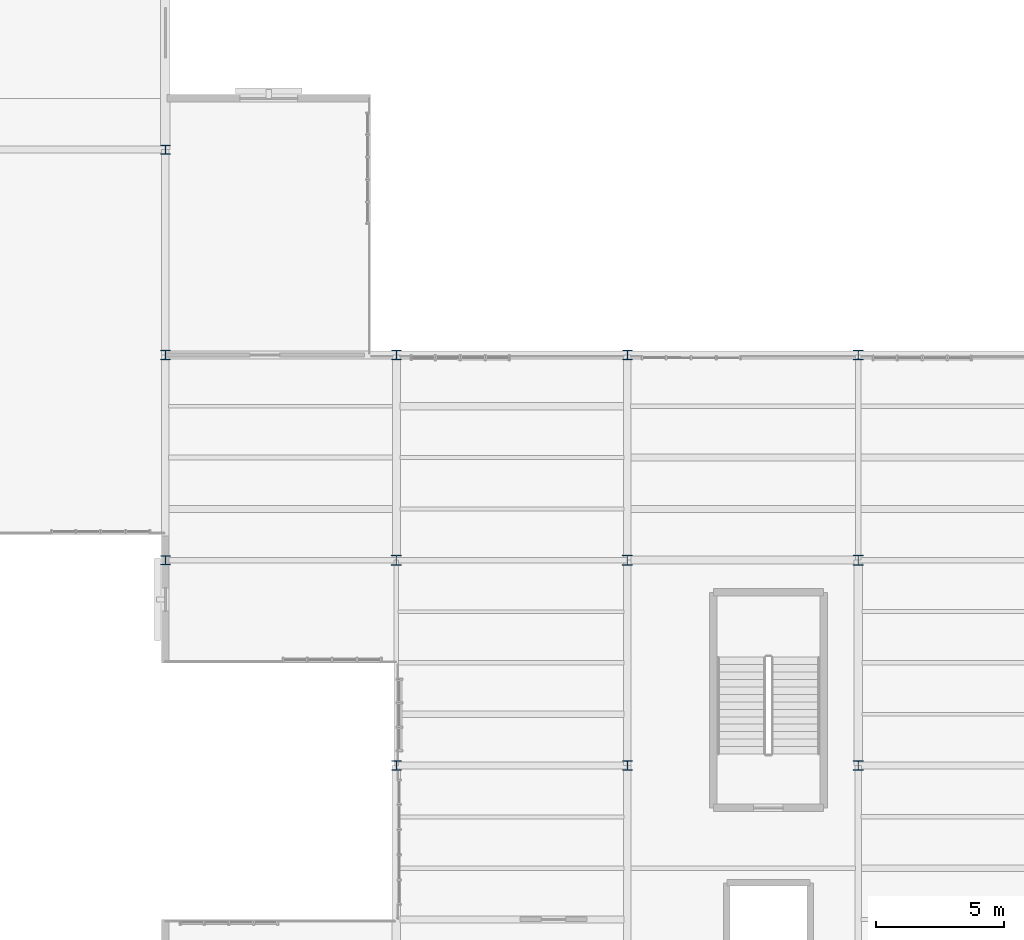
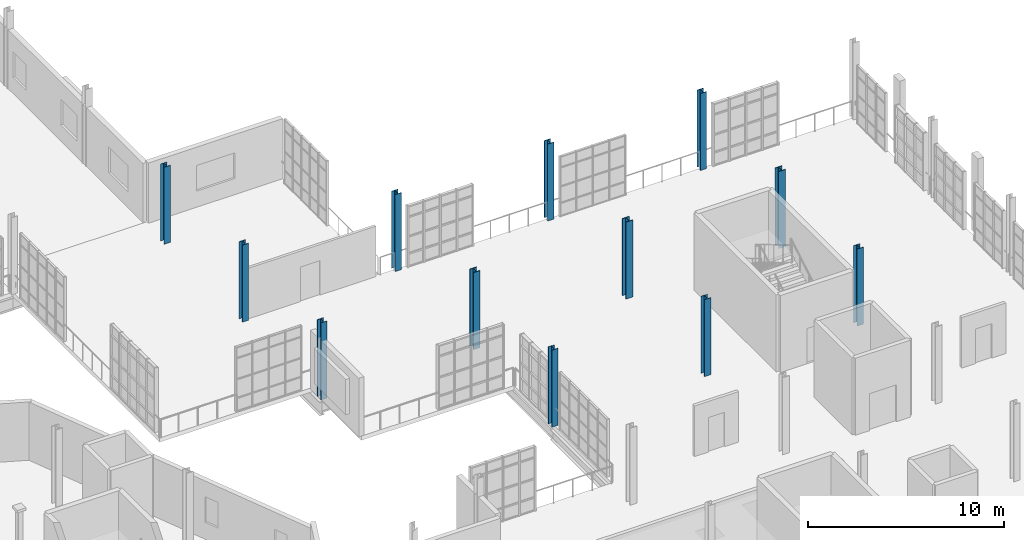
# One storey, part 8 of 122: 12 columns.
"""IFC4 building model written with IfcOpenShell, lengths in metres."""

import ifcopenshell
import ifcopenshell.guid

model = None  # the IFC model being written
_history = None  # IfcOwnerHistory: only IFC2X3 demands one
_inside = {}  # id of a spatial element -> (the spatial element, [elements in it])
_under = {}  # id of a project, library or spatial element -> (it, [spatial elements below it])
_declared = {}  # id of a project -> (the project, [libraries it declares])
_typed = {}  # id of a type object -> (the type object, [elements of that type])
_made_of = {}  # id of a material, layer set ... -> (it, [elements and type objects made of it])


def new_model(schema):
    """Start an empty IFC model of exactly this schema.

    Asked for "IFC4X3", IfcOpenShell would pick the latest addendum, in which some entities
    have other attributes; the version numbers below select the first issue.
    IFC2X3 requires an IfcOwnerHistory on every rooted entity: one is made here for all.
    """
    global model, _history
    if schema == "IFC4X3":
        model = ifcopenshell.file(schema_version=(4, 3, 0, 0))
    else:
        model = ifcopenshell.file(schema=schema)
    _inside.clear()
    _under.clear()
    _declared.clear()
    _typed.clear()
    _made_of.clear()
    _history = None
    if model.schema == "IFC2X3":
        org = make("IfcOrganization", Name="unknown")
        user = make(
            "IfcPersonAndOrganization",
            ThePerson=make("IfcPerson", FamilyName="unknown"),
            TheOrganization=org,
        )
        app = make(
            "IfcApplication",
            ApplicationDeveloper=org,
            Version="unknown",
            ApplicationFullName="unknown",
            ApplicationIdentifier="unknown",
        )
        _history = make(
            "IfcOwnerHistory",
            OwningUser=user,
            OwningApplication=app,
            ChangeAction="ADDED",
            CreationDate=0,
        )
    return model


def make(cls, **values):
    """One entity of the class cls with the attributes given. An attribute that is None is left unset."""
    return model.create_entity(
        cls, **{name: value for name, value in values.items() if value is not None}
    )


def rooted(cls, **values):
    """An entity with a GlobalId (a new one), such as an element, a storey or a relation."""
    return make(cls, GlobalId=ifcopenshell.guid.new(), OwnerHistory=_history, **values)


def si_unit(unit_type, name, prefix=None):
    """IfcSIUnit, for example si_unit("LENGTHUNIT", "METRE", prefix="MILLI")."""
    return make("IfcSIUnit", UnitType=unit_type, Prefix=prefix, Name=name)


def assignment(units):
    """IfcUnitAssignment: the units of a project."""
    return None if units is None else make("IfcUnitAssignment", Units=units)


def point(xyz):
    """IfcCartesianPoint."""
    return None if xyz is None else make("IfcCartesianPoint", Coordinates=xyz)


def direction(xyz):
    """IfcDirection."""
    return None if xyz is None else make("IfcDirection", DirectionRatios=xyz)


def frame(location, z_axis=None, x_axis=None):
    """IfcAxis2Placement3D, a coordinate frame: its origin and axes. An axis left out is left unset."""
    return make(
        "IfcAxis2Placement3D",
        Location=point(location),
        Axis=direction(z_axis),
        RefDirection=direction(x_axis),
    )


def frame_2d(location, x_axis=None):
    """IfcAxis2Placement2D, a coordinate frame in the plane: its origin and x axis."""
    return make(
        "IfcAxis2Placement2D", Location=point(location), RefDirection=direction(x_axis)
    )


def origin():
    """The frame at (0, 0, 0) with its axes left unset."""
    return frame((0.0, 0.0, 0.0))


def origin_2d():
    """The frame at (0, 0) in the plane with its x axis left unset."""
    return frame_2d((0.0, 0.0))


def place(relative_to, where):
    """IfcLocalPlacement: puts the frame where relative to a parent placement (None: the world)."""
    return make(
        "IfcLocalPlacement", PlacementRelTo=relative_to, RelativePlacement=where
    )


def context(
    kind, dimensions, precision=None, world=None, true_north=None, identifier=None
):
    """IfcGeometricRepresentationContext, for example the 3D "Model" context."""
    return make(
        "IfcGeometricRepresentationContext",
        ContextIdentifier=identifier,
        ContextType=kind,
        CoordinateSpaceDimension=dimensions,
        Precision=precision,
        WorldCoordinateSystem=world,
        TrueNorth=true_north,
    )


def subcontext(parent, identifier, kind, view, scale=None):
    """IfcGeometricRepresentationSubContext, for example "Body" below "Model"."""
    return make(
        "IfcGeometricRepresentationSubContext",
        ContextIdentifier=identifier,
        ContextType=kind,
        ParentContext=parent,
        TargetScale=scale,
        TargetView=view,
    )


def project(units=None, contexts=None):
    """IfcProject with its units and contexts."""
    return rooted(
        "IfcProject",
        Name="project",
        RepresentationContexts=contexts,
        UnitsInContext=assignment(units),
    )


def spatial(cls, under=None, at=None, **own):
    """A site, building, storey or space (cls), placed at a placement, below another one or the project."""
    s = rooted(cls, ObjectPlacement=at, **own)
    if under is not None:
        _under.setdefault(under.id(), (under, []))[1].append(s)
    return s


def profile(cls, at=None, kind="AREA", **sizes):
    """A parametric profile (cls). Its sizes go by their IFC names, for example OverallWidth=200.0."""
    return make(cls, ProfileType=kind, Position=at, **sizes)


def i_section(**sizes):
    """IfcIShapeProfileDef."""
    return profile("IfcIShapeProfileDef", **sizes)


def extrude(swept, where, along, depth):
    """IfcExtrudedAreaSolid: the profile swept, set in the frame where, extruded along a direction by depth."""
    return make(
        "IfcExtrudedAreaSolid",
        SweptArea=swept,
        Position=where,
        ExtrudedDirection=direction(along),
        Depth=depth,
    )


def shape(context_of_items, identifier, shape_type, items):
    """IfcShapeRepresentation: the items that make up one representation, for example the "Body"."""
    return make(
        "IfcShapeRepresentation",
        ContextOfItems=context_of_items,
        RepresentationIdentifier=identifier,
        RepresentationType=shape_type,
        Items=items,
    )


def material(Name=None, Category=None):
    """IfcMaterial."""
    return make("IfcMaterial", Name=Name, Category=Category)


def material_profile(
    of_material, cross_section, Name=None, Category=None, Priority=None
):
    """IfcMaterialProfile: a cross section and its material."""
    return make(
        "IfcMaterialProfile",
        Name=Name,
        Material=of_material,
        Profile=cross_section,
        Priority=Priority,
        Category=Category,
    )


def profile_set(profiles, Name=None, composite=None):
    """IfcMaterialProfileSet."""
    return make(
        "IfcMaterialProfileSet",
        Name=Name,
        MaterialProfiles=profiles,
        CompositeProfile=composite,
    )


def made_of(thing, what):
    """Note that an element or type object is made of a material, layer set ...; save() writes the relation."""
    if what is not None:
        _made_of.setdefault(what.id(), (what, []))[1].append(thing)
    return thing


def type_object(cls, material=None, **own):
    """A type object (cls), such as IfcWallType, which elements share."""
    return made_of(rooted(cls, **own), material)


def element(
    cls,
    number,
    at=None,
    inside=None,
    cuts=None,
    type_object=None,
    material=None,
    context=None,
    identifier="Body",
    shape_type=None,
    held_by="IfcProductDefinitionShape",
    body=None,
    shapes=None,
    **own,
):
    """One element of the class cls, such as IfcWall. Its Tag is "e" and its number.

    at: its placement. inside: the storey or other place that contains it. cuts: it is an
    opening in that element (IfcRelVoidsElement). A single representation is given by context,
    identifier, shape_type and body (its items); several are given by shapes. held_by: the class
    of the entity that holds the representations. save() writes the other relations.
    """
    e = rooted(cls, Tag="e%d" % number, ObjectPlacement=at, **own)
    if body is not None:
        shapes = [shape(context, identifier, shape_type, body)]
    if shapes is not None:
        e.Representation = make(held_by, Representations=shapes)
    if inside is not None:
        _inside.setdefault(inside.id(), (inside, []))[1].append(e)
    if cuts is not None:
        rooted(
            "IfcRelVoidsElement", RelatingBuildingElement=cuts, RelatedOpeningElement=e
        )
    if type_object is not None:
        _typed.setdefault(type_object.id(), (type_object, []))[1].append(e)
    return made_of(e, material)


def aggregate(whole, parts):
    """IfcRelAggregates: a whole, such as a stair, and the parts it consists of."""
    return rooted("IfcRelAggregates", RelatingObject=whole, RelatedObjects=parts)


def save(model, path):
    """Write the relations noted so far, then the file.

    IfcRelAggregates (storeys below a building ...), IfcRelContainedInSpatialStructure (elements
    in a storey), IfcRelDefinesByType, IfcRelAssociatesMaterial and IfcRelDeclares: one each for
    every whole, place, type object, material and project.
    """
    for whole, parts in _under.values():
        aggregate(whole, parts)
    for where, things in _inside.values():
        rooted(
            "IfcRelContainedInSpatialStructure",
            RelatedElements=things,
            RelatingStructure=where,
        )
    for kind, things in _typed.values():
        rooted("IfcRelDefinesByType", RelatedObjects=things, RelatingType=kind)
    for what, things in _made_of.values():
        rooted("IfcRelAssociatesMaterial", RelatedObjects=things, RelatingMaterial=what)
    for by, libraries in _declared.values():
        rooted("IfcRelDeclares", RelatingContext=by, RelatedDefinitions=libraries)
    model.write(path)


model = new_model("IFC4")

# Units and contexts
model_context = context("Model", 3, precision=1e-05, world=origin(), true_north=direction((0.0, 1.0)))
body_context = subcontext(model_context, "Body", "Model", "MODEL_VIEW")
ifc_project = project(units=[si_unit("LENGTHUNIT", "METRE"), si_unit("AREAUNIT", "SQUARE_METRE"), si_unit("VOLUMEUNIT", "CUBIC_METRE"), si_unit("PLANEANGLEUNIT", "RADIAN"), si_unit("MASSUNIT", "GRAM", prefix="KILO"), si_unit("THERMODYNAMICTEMPERATUREUNIT", "KELVIN"), si_unit("POWERUNIT", "WATT")], contexts=[model_context])

# Site, building, storey
site_placement = place(None, origin())
site = spatial("IfcSite", under=ifc_project, at=site_placement, CompositionType="ELEMENT")
building_placement = place(site_placement, origin())
building = spatial("IfcBuilding", under=site, at=building_placement, Name="Zelmaris Science Centre", CompositionType="ELEMENT")
storey_placement = place(building_placement, frame((0.0, 0.0, 10.800048828125)))
storey = spatial("IfcBuildingStorey", under=building, at=storey_placement, Name="L02", CompositionType="ELEMENT", Elevation=10.800048828125)

# Columns
ifc_material = material(Name="Steel ASTM A992 Grade 50", Category="steel")
ifc_material_profile_1 = material_profile(ifc_material, i_section(OverallWidth=0.40087890625, OverallDepth=0.39892578125, WebThickness=0.02490234375, FlangeThickness=0.03955078125, FilletRadius=0.014892578125, at=origin_2d()), Name="W14X211")
ifc_profile_set_1 = profile_set([ifc_material_profile_1], Name="Steel ASTM A992 Grade 50")
column_type_1 = type_object("IfcColumnType", Name="Column C-03 W14X211", PredefinedType="COLUMN", material=ifc_profile_set_1)
for number, where, z_axis, x_axis, name in (
    (1, (117.0, 48.0, 0.0), (0.0, 0.0, 1.0), (1.0, 0.0, 0.0), "Column V4-C-117-48 L02"),
    (2, (126.0, 48.0, 0.0), (0.0, 0.0, 1.0), (1.0, 0.0, 0.0), "Column V4-C-126-48 L02"),
    (3, (135.0, 48.0, 0.0), (0.0, 0.0, 1.0), (1.0, 0.0, 0.0), "Column V4-C-135-48 L02"),
):
    element("IfcColumn", number, at=place(storey_placement, frame(where, z_axis=z_axis, x_axis=x_axis)), inside=storey, type_object=column_type_1, Name=name, PredefinedType="COLUMN", context=body_context, shape_type="SweptSolid", body=[
        extrude(i_section(OverallWidth=0.40087890625, OverallDepth=0.39892578125, WebThickness=0.02490234375, FlangeThickness=0.03955078125, FilletRadius=0.014892578125, at=origin_2d()), origin(), (0.0, 0.0, 1.0), 4.800048828125),
    ])
ifc_material_profile_2 = material_profile(ifc_material, i_section(OverallWidth=0.373046875, OverallDepth=0.367919921875, WebThickness=0.014892578125, FlangeThickness=0.02392578125, FilletRadius=0.014892578125, at=origin_2d()), Name="W14X120")
ifc_profile_set_2 = profile_set([ifc_material_profile_2], Name="Steel ASTM A992 Grade 50")
column_type_2 = type_object("IfcColumnType", Name="Column C-06 W14X120", PredefinedType="COLUMN", material=ifc_profile_set_2)
for number, where, z_axis, x_axis, name in (
    (4, (108.0, 48.0, 0.0), (0.0, 0.0, 1.0), (1.0, 0.0, 0.0), "Column V4-C-108-48 L02"),
    (5, (108.0, 56.0, 0.0), (0.0, 0.0, 1.0), (1.0, 0.0, 0.0), "Column V4-C-108-56 L02"),
    (6, (117.0, 40.0, 0.0), (0.0, 0.0, 1.0), (1.0, 0.0, 0.0), "Column V4-C-117-40 L02"),
    (7, (117.0, 56.0, 0.0), (0.0, 0.0, 1.0), (1.0, 0.0, 0.0), "Column V4-C-117-56 L02"),
    (8, (126.0, 40.0, 0.0), (0.0, 0.0, 1.0), (1.0, 0.0, 0.0), "Column V4-C-126-40 L02"),
    (9, (126.0, 56.0, 0.0), (0.0, 0.0, 1.0), (1.0, 0.0, 0.0), "Column V4-C-126-56 L02"),
    (10, (135.0, 40.0, 0.0), (0.0, 0.0, 1.0), (1.0, 0.0, 0.0), "Column V4-C-135-40 L02"),
    (11, (135.0, 56.0, 0.0), (0.0, 0.0, 1.0), (1.0, 0.0, 0.0), "Column V4-C-135-56 L02"),
):
    element("IfcColumn", number, at=place(storey_placement, frame(where, z_axis=z_axis, x_axis=x_axis)), inside=storey, type_object=column_type_2, Name=name, PredefinedType="COLUMN", context=body_context, shape_type="SweptSolid", body=[
        extrude(i_section(OverallWidth=0.373046875, OverallDepth=0.367919921875, WebThickness=0.014892578125, FlangeThickness=0.02392578125, FilletRadius=0.014892578125, at=origin_2d()), origin(), (0.0, 0.0, 1.0), 4.800048828125),
    ])
ifc_material_profile_3 = material_profile(ifc_material, i_section(OverallWidth=0.367919921875, OverallDepth=0.35595703125, WebThickness=0.01123046875, FlangeThickness=0.01806640625, FilletRadius=0.014892578125, at=origin_2d()), Name="W14X90")
ifc_profile_set_3 = profile_set([ifc_material_profile_3], Name="Steel ASTM A992 Grade 50")
column_type_3 = type_object("IfcColumnType", Name="Column C-07 W14X90", PredefinedType="COLUMN", material=ifc_profile_set_3)
column_placement = place(storey_placement, frame((108.0, 64.0, 0.0), z_axis=(0.0, 0.0, 1.0), x_axis=(1.0, 0.0, 0.0)))
element("IfcColumn", 12, at=column_placement, inside=storey, type_object=column_type_3, Name="Column V5-C-108-64 L02", PredefinedType="COLUMN", context=body_context, shape_type="SweptSolid", body=[
    extrude(i_section(OverallWidth=0.367919921875, OverallDepth=0.35595703125, WebThickness=0.01123046875, FlangeThickness=0.01806640625, FilletRadius=0.014892578125, at=origin_2d()), origin(), (0.0, 0.0, 1.0), 4.800048828125),
])

save(model, "model.ifc")
